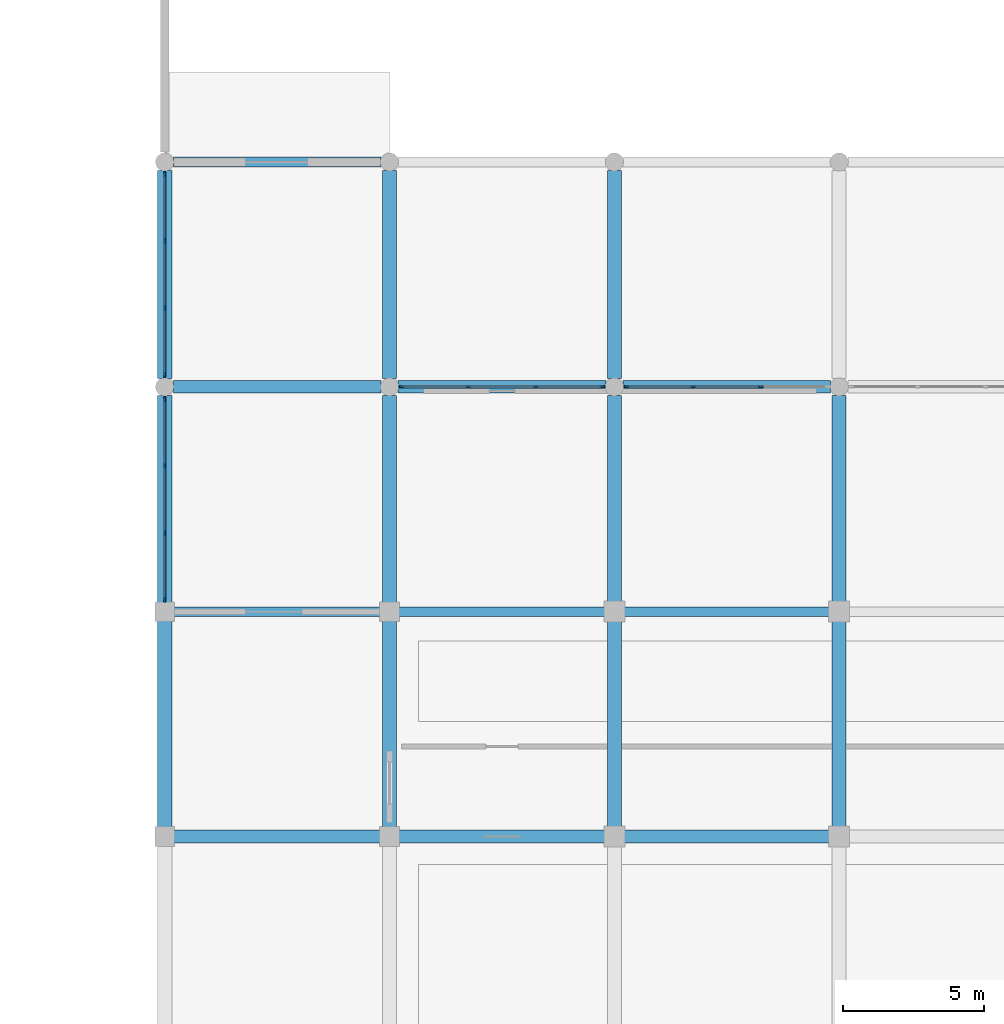
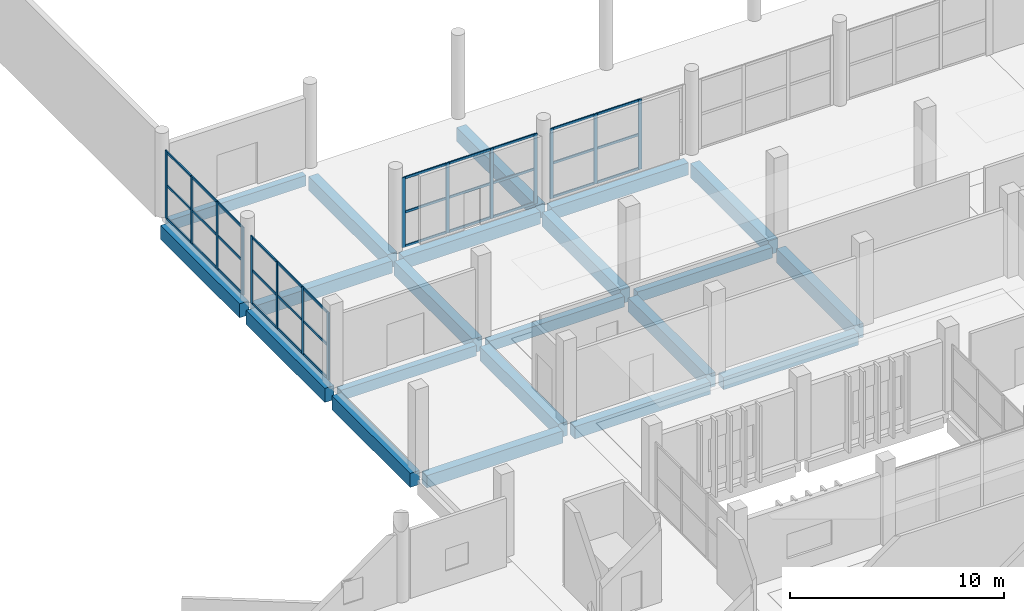
# One storey, part 52 of 117: 48 members, 21 beams, 4 elements without a shape of their own.
"""IFC4 building model written with IfcOpenShell, lengths in metres."""

from ifc_helpers import new_model, si_unit, direction, frame, origin, origin_2d, place, context, subcontext, project, spatial, rectangle, extrude, material, layer, layer_set, material_profile, profile_set, type_object, element, aggregate, save


model = new_model("IFC4")

# Units and contexts
model_context = context("Model", 3, precision=1e-05, world=origin(), true_north=direction((0.0, 1.0)))
body_context = subcontext(model_context, "Body", "Model", "MODEL_VIEW")
ifc_project = project(units=[si_unit("LENGTHUNIT", "METRE"), si_unit("AREAUNIT", "SQUARE_METRE"), si_unit("VOLUMEUNIT", "CUBIC_METRE"), si_unit("PLANEANGLEUNIT", "RADIAN"), si_unit("MASSUNIT", "GRAM", prefix="KILO")], contexts=[model_context])

# Site, building, storey
site_placement = place(None, origin())
site = spatial("IfcSite", under=ifc_project, at=site_placement, CompositionType="ELEMENT")
building_placement = place(site_placement, origin())
building = spatial("IfcBuilding", under=site, at=building_placement, Name="Jelvoka-Kovrelna Polytechnic", CompositionType="ELEMENT")
storey_placement = place(building_placement, origin())
storey = spatial("IfcBuildingStorey", under=building, at=storey_placement, Name="L01", CompositionType="ELEMENT", Elevation=0.0)

# Beams
ifc_material_1 = material(Name="Concrete C40/50", Category="concrete")
ifc_material_profile_1 = material_profile(ifc_material_1, rectangle(XDim=0.449951171875, YDim=0.699951171875, at=origin_2d()), Name="RC 450x700")
ifc_profile_set_1 = profile_set([ifc_material_profile_1], Name="Concrete C40/50")
beam_type_1 = type_object("IfcBeamType", Name="Beam_RC_450x700", PredefinedType="BEAM", material=ifc_profile_set_1)
for number, where, z_axis, x_axis, name in (
    (1, (48.304931640625, 80.0, -0.7548828125), (1.0, 0.0, 0.0), (0.0, 1.0, 0.0), "L01 beam 0281"),
    (2, (56.304931640625, 80.0, -0.7548828125), (1.0, 0.0, 0.0), (0.0, 1.0, 0.0), "L01 beam 0282"),
    (3, (64.304931640625, 80.0, -0.7548828125), (1.0, 0.0, 0.0), (0.0, 1.0, 0.0), "L01 beam 0283"),
):
    element("IfcBeam", number, at=place(storey_placement, frame(where, z_axis=z_axis, x_axis=x_axis)), inside=storey, type_object=beam_type_1, Name=name, PredefinedType="BEAM", context=body_context, shape_type="SweptSolid", body=[
        extrude(rectangle(XDim=0.449951171875, YDim=0.699951171875, at=origin_2d()), origin(), (0.0, 0.0, 1.0), 7.39013671875),
    ])
beam_1_placement = place(storey_placement, frame((56.330078125, 64.0, -0.7548828125), z_axis=(1.0, 0.0, 0.0), x_axis=(0.0, 1.0, 0.0)))
element("IfcBeam", 4, at=beam_1_placement, inside=storey, type_object=beam_type_1, Name="L01 beam 0450", PredefinedType="BEAM", context=body_context, shape_type="SweptSolid", body=[
    extrude(rectangle(XDim=0.449951171875, YDim=0.699951171875, at=origin_2d()), origin(), (0.0, 0.0, 1.0), 7.31494140625),
])
beam_2_placement = place(storey_placement, frame((64.35498046875, 64.0, -0.7548828125), z_axis=(1.0, 0.0, 0.0), x_axis=(0.0, 1.0, 0.0)))
element("IfcBeam", 5, at=beam_2_placement, inside=storey, type_object=beam_type_1, Name="L01 beam 0451", PredefinedType="BEAM", context=body_context, shape_type="SweptSolid", body=[
    extrude(rectangle(XDim=0.449951171875, YDim=0.699951171875, at=origin_2d()), origin(), (0.0, 0.0, 1.0), 7.2900390625),
])
beam_3_placement = place(storey_placement, frame((48.330078125, 64.0, -0.7548828125), z_axis=(1.0, 0.0, 0.0), x_axis=(0.0, 1.0, 0.0)))
element("IfcBeam", 6, at=beam_3_placement, inside=storey, type_object=beam_type_1, Name="L01 beam 0529", PredefinedType="BEAM", context=body_context, shape_type="SweptSolid", body=[
    extrude(rectangle(XDim=0.449951171875, YDim=0.699951171875, at=origin_2d()), origin(), (0.0, 0.0, 1.0), 7.33984375),
])
ifc_material_2 = material(Name="Concrete C40/50", Category="concrete")
ifc_material_profile_2 = material_profile(ifc_material_2, rectangle(XDim=0.5, YDim=0.800048828125, at=origin_2d()), Name="RC 500x800")
ifc_profile_set_2 = profile_set([ifc_material_profile_2], Name="Concrete C40/50")
beam_type_2 = type_object("IfcBeamType", Name="Beam_RC_500x800", PredefinedType="BEAM", material=ifc_profile_set_2)
beam_4_placement = place(storey_placement, frame((48.0, 72.330078125, -0.804931640625), z_axis=(0.0, 1.0, 0.0), x_axis=(-1.0, 0.0, 0.0)))
element("IfcBeam", 7, at=beam_4_placement, inside=storey, type_object=beam_type_2, Name="L01 beam 0291", PredefinedType="BEAM", context=body_context, shape_type="SweptSolid", body=[
    extrude(rectangle(XDim=0.5, YDim=0.800048828125, at=origin_2d()), origin(), (0.0, 0.0, 1.0), 7.364990234375),
])
beam_5_placement = place(storey_placement, frame((48.0, 80.304931640625, -0.804931640625), z_axis=(0.0, 1.0, 0.0), x_axis=(-1.0, 0.0, 0.0)))
element("IfcBeam", 8, at=beam_5_placement, inside=storey, type_object=beam_type_2, Name="L01 beam 0292", PredefinedType="BEAM", context=body_context, shape_type="SweptSolid", body=[
    extrude(rectangle(XDim=0.5, YDim=0.800048828125, at=origin_2d()), origin(), (0.0, 0.0, 1.0), 7.39013671875),
])
beam_6_placement = place(storey_placement, frame((56.0, 72.330078125, -0.804931640625), z_axis=(0.0, 1.0, 0.0), x_axis=(-1.0, 0.0, 0.0)))
element("IfcBeam", 9, at=beam_6_placement, inside=storey, type_object=beam_type_2, Name="L01 beam 0293", PredefinedType="BEAM", context=body_context, shape_type="SweptSolid", body=[
    extrude(rectangle(XDim=0.5, YDim=0.800048828125, at=origin_2d()), origin(), (0.0, 0.0, 1.0), 7.364990234375),
])
beam_7_placement = place(storey_placement, frame((56.0, 80.304931640625, -0.804931640625), z_axis=(0.0, 1.0, 0.0), x_axis=(-1.0, 0.0, 0.0)))
element("IfcBeam", 10, at=beam_7_placement, inside=storey, type_object=beam_type_2, Name="L01 beam 0294", PredefinedType="BEAM", context=body_context, shape_type="SweptSolid", body=[
    extrude(rectangle(XDim=0.5, YDim=0.800048828125, at=origin_2d()), origin(), (0.0, 0.0, 1.0), 7.39013671875),
])
beam_8_placement = place(storey_placement, frame((64.0, 72.35498046875, -0.804931640625), z_axis=(0.0, 1.0, 0.0), x_axis=(-1.0, 0.0, 0.0)))
element("IfcBeam", 11, at=beam_8_placement, inside=storey, type_object=beam_type_2, Name="L01 beam 0295", PredefinedType="BEAM", context=body_context, shape_type="SweptSolid", body=[
    extrude(rectangle(XDim=0.5, YDim=0.800048828125, at=origin_2d()), origin(), (0.0, 0.0, 1.0), 7.340087890625),
])
beam_9_placement = place(storey_placement, frame((64.0, 80.304931640625, -0.804931640625), z_axis=(0.0, 1.0, 0.0), x_axis=(-1.0, 0.0, 0.0)))
element("IfcBeam", 12, at=beam_9_placement, inside=storey, type_object=beam_type_2, Name="L01 beam 0296", PredefinedType="BEAM", context=body_context, shape_type="SweptSolid", body=[
    extrude(rectangle(XDim=0.5, YDim=0.800048828125, at=origin_2d()), origin(), (0.0, 0.0, 1.0), 7.39013671875),
])
beam_10_placement = place(storey_placement, frame((72.0, 72.35498046875, -0.804931640625), z_axis=(0.0, 1.0, 0.0), x_axis=(-1.0, 0.0, 0.0)))
element("IfcBeam", 13, at=beam_10_placement, inside=storey, type_object=beam_type_2, Name="L01 beam 0297", PredefinedType="BEAM", context=body_context, shape_type="SweptSolid", body=[
    extrude(rectangle(XDim=0.5, YDim=0.800048828125, at=origin_2d()), origin(), (0.0, 0.0, 1.0), 7.340087890625),
])
beam_11_placement = place(storey_placement, frame((56.0, 64.330078125, -0.804931640625), z_axis=(0.0, 1.0, 0.0), x_axis=(-1.0, 0.0, 0.0)))
element("IfcBeam", 14, at=beam_11_placement, inside=storey, type_object=beam_type_2, Name="L01 beam 0460", PredefinedType="BEAM", context=body_context, shape_type="SweptSolid", body=[
    extrude(rectangle(XDim=0.5, YDim=0.800048828125, at=origin_2d()), origin(), (0.0, 0.0, 1.0), 7.33984375),
])
for number, where, z_axis, x_axis, name in (
    (15, (64.0, 64.35498046875, -0.804931640625), (0.0, 1.0, 0.0), (-1.0, 0.0, 0.0), "L01 beam 0462"),
    (16, (72.0, 64.35498046875, -0.804931640625), (0.0, 1.0, 0.0), (-1.0, 0.0, 0.0), "L01 beam 0464"),
):
    element("IfcBeam", number, at=place(storey_placement, frame(where, z_axis=z_axis, x_axis=x_axis)), inside=storey, type_object=beam_type_2, Name=name, PredefinedType="BEAM", context=body_context, shape_type="SweptSolid", body=[
        extrude(rectangle(XDim=0.5, YDim=0.800048828125, at=origin_2d()), origin(), (0.0, 0.0, 1.0), 7.2900390625),
    ])
beam_12_placement = place(storey_placement, frame((48.0, 64.330078125, -0.804931640625), z_axis=(0.0, 1.0, 0.0), x_axis=(-1.0, 0.0, 0.0)))
element("IfcBeam", 17, at=beam_12_placement, inside=storey, type_object=beam_type_2, Name="L01 beam 0535", PredefinedType="BEAM", context=body_context, shape_type="SweptSolid", body=[
    extrude(rectangle(XDim=0.5, YDim=0.800048828125, at=origin_2d()), origin(), (0.0, 0.0, 1.0), 7.33984375),
])

# Curtain wall, members
ifc_material_3 = material(Name="Anodised aluminium 6063-T6", Category="aluminium")
ifc_layer = layer(ifc_material_3, 0.179931640625)
ifc_layer_set = layer_set([ifc_layer], Name="Anodised aluminium 6063-T6")
curtain_wall_type = type_object("IfcCurtainWallType", Name="CW_Pavilion", PredefinedType="NOTDEFINED", material=ifc_layer_set)
curtain_wall_1_placement = place(storey_placement, origin())
curtain_wall_1 = element("IfcCurtainWall", 18, at=curtain_wall_1_placement, inside=storey, type_object=curtain_wall_type, Name="L01 glazed curtain wall 163", PredefinedType="NOTDEFINED")
ifc_material_4 = material(Name="Anodised aluminium 6063-T6", Category="aluminium")
ifc_material_profile_3 = material_profile(ifc_material_4, rectangle(XDim=0.06494140625, YDim=0.179931640625, at=origin_2d()), Name="ALU 65x180")
ifc_profile_set_3 = profile_set([ifc_material_profile_3], Name="Anodised aluminium 6063-T6")
member_type_1 = type_object("IfcMemberType", Name="Mullion_M-05", PredefinedType="MULLION", material=ifc_profile_set_3)
member_1_placement = place(storey_placement, frame((48.0, 72.4326171875, -0.02490234375), z_axis=(0.0, 0.0, 1.0), x_axis=(-1.0, 0.0, 0.0)))
member_1 = element("IfcMember", 19, at=member_1_placement, type_object=member_type_1, Name="CW-05 mullion 1", PredefinedType="MULLION", context=body_context, shape_type="SweptSolid", body=[
    extrude(rectangle(XDim=0.06494140625, YDim=0.179931640625, at=origin_2d()), origin(), (0.0, 0.0, 1.0), 3.85498046875),
])
member_2_placement = place(storey_placement, frame((48.0, 74.800048828125, -0.02490234375), z_axis=(0.0, 0.0, 1.0), x_axis=(-1.0, 0.0, 0.0)))
member_2 = element("IfcMember", 20, at=member_2_placement, type_object=member_type_1, Name="CW-05 mullion 2", PredefinedType="MULLION", context=body_context, shape_type="SweptSolid", body=[
    extrude(rectangle(XDim=0.06494140625, YDim=0.179931640625, at=origin_2d()), origin(), (0.0, 0.0, 1.0), 3.85498046875),
])
member_3_placement = place(storey_placement, frame((48.0, 77.199951171875, -0.02490234375), z_axis=(0.0, 0.0, 1.0), x_axis=(-1.0, 0.0, 0.0)))
member_3 = element("IfcMember", 21, at=member_3_placement, type_object=member_type_1, Name="CW-05 mullion 3", PredefinedType="MULLION", context=body_context, shape_type="SweptSolid", body=[
    extrude(rectangle(XDim=0.06494140625, YDim=0.179931640625, at=origin_2d()), origin(), (0.0, 0.0, 1.0), 3.85498046875),
])
member_4_placement = place(storey_placement, frame((48.0, 79.5673828125, -0.02490234375), z_axis=(0.0, 0.0, 1.0), x_axis=(-1.0, 0.0, 0.0)))
member_4 = element("IfcMember", 22, at=member_4_placement, type_object=member_type_1, Name="CW-05 mullion 4", PredefinedType="MULLION", context=body_context, shape_type="SweptSolid", body=[
    extrude(rectangle(XDim=0.06494140625, YDim=0.179931640625, at=origin_2d()), origin(), (0.0, 0.0, 1.0), 3.85498046875),
])

curtain_wall_2_placement = place(storey_placement, origin())
curtain_wall_2 = element("IfcCurtainWall", 23, at=curtain_wall_2_placement, inside=storey, type_object=curtain_wall_type, Name="L01 glazed curtain wall 164", PredefinedType="NOTDEFINED")
member_5_placement = place(storey_placement, frame((48.0, 80.4326171875, -0.02490234375), z_axis=(0.0, 0.0, 1.0), x_axis=(-1.0, 0.0, 0.0)))
member_5 = element("IfcMember", 24, at=member_5_placement, type_object=member_type_1, Name="CW-05 mullion 1", PredefinedType="MULLION", context=body_context, shape_type="SweptSolid", body=[
    extrude(rectangle(XDim=0.06494140625, YDim=0.179931640625, at=origin_2d()), origin(), (0.0, 0.0, 1.0), 3.885009765625),
])
member_6_placement = place(storey_placement, frame((48.0, 82.800048828125, -0.02490234375), z_axis=(0.0, 0.0, 1.0), x_axis=(-1.0, 0.0, 0.0)))
member_6 = element("IfcMember", 25, at=member_6_placement, type_object=member_type_1, Name="CW-05 mullion 2", PredefinedType="MULLION", context=body_context, shape_type="SweptSolid", body=[
    extrude(rectangle(XDim=0.06494140625, YDim=0.179931640625, at=origin_2d()), origin(), (0.0, 0.0, 1.0), 3.885009765625),
])
member_7_placement = place(storey_placement, frame((48.0, 85.199951171875, -0.02490234375), z_axis=(0.0, 0.0, 1.0), x_axis=(-1.0, 0.0, 0.0)))
member_7 = element("IfcMember", 26, at=member_7_placement, type_object=member_type_1, Name="CW-05 mullion 3", PredefinedType="MULLION", context=body_context, shape_type="SweptSolid", body=[
    extrude(rectangle(XDim=0.06494140625, YDim=0.179931640625, at=origin_2d()), origin(), (0.0, 0.0, 1.0), 3.885009765625),
])
member_8_placement = place(storey_placement, frame((48.0, 87.5673828125, -0.02490234375), z_axis=(0.0, 0.0, 1.0), x_axis=(-1.0, 0.0, 0.0)))
member_8 = element("IfcMember", 27, at=member_8_placement, type_object=member_type_1, Name="CW-05 mullion 4", PredefinedType="MULLION", context=body_context, shape_type="SweptSolid", body=[
    extrude(rectangle(XDim=0.06494140625, YDim=0.179931640625, at=origin_2d()), origin(), (0.0, 0.0, 1.0), 3.885009765625),
])

curtain_wall_3_placement = place(storey_placement, origin())
curtain_wall_3 = element("IfcCurtainWall", 28, at=curtain_wall_3_placement, inside=storey, type_object=curtain_wall_type, Name="L01 glazed curtain wall 165", PredefinedType="NOTDEFINED")
member_9_placement = place(storey_placement, frame((56.4326171875, 80.0, -0.02490234375), z_axis=(0.0, 0.0, 1.0), x_axis=(0.0, 1.0, 0.0)))
member_9 = element("IfcMember", 29, at=member_9_placement, type_object=member_type_1, Name="CW-05 mullion 1", PredefinedType="MULLION", context=body_context, shape_type="SweptSolid", body=[
    extrude(rectangle(XDim=0.06494140625, YDim=0.179931640625, at=origin_2d()), origin(), (0.0, 0.0, 1.0), 4.005126953125),
])
member_10_placement = place(storey_placement, frame((58.800048828125, 80.0, -0.02490234375), z_axis=(0.0, 0.0, 1.0), x_axis=(0.0, 1.0, 0.0)))
member_10 = element("IfcMember", 30, at=member_10_placement, type_object=member_type_1, Name="CW-05 mullion 2", PredefinedType="MULLION", context=body_context, shape_type="SweptSolid", body=[
    extrude(rectangle(XDim=0.06494140625, YDim=0.179931640625, at=origin_2d()), origin(), (0.0, 0.0, 1.0), 4.005126953125),
])
member_11_placement = place(storey_placement, frame((61.199951171875, 80.0, -0.02490234375), z_axis=(0.0, 0.0, 1.0), x_axis=(0.0, 1.0, 0.0)))
member_11 = element("IfcMember", 31, at=member_11_placement, type_object=member_type_1, Name="CW-05 mullion 3", PredefinedType="MULLION", context=body_context, shape_type="SweptSolid", body=[
    extrude(rectangle(XDim=0.06494140625, YDim=0.179931640625, at=origin_2d()), origin(), (0.0, 0.0, 1.0), 4.005126953125),
])
member_12_placement = place(storey_placement, frame((63.5673828125, 80.0, -0.02490234375), z_axis=(0.0, 0.0, 1.0), x_axis=(0.0, 1.0, 0.0)))
member_12 = element("IfcMember", 32, at=member_12_placement, type_object=member_type_1, Name="CW-05 mullion 4", PredefinedType="MULLION", context=body_context, shape_type="SweptSolid", body=[
    extrude(rectangle(XDim=0.06494140625, YDim=0.179931640625, at=origin_2d()), origin(), (0.0, 0.0, 1.0), 4.005126953125),
])

curtain_wall_4_placement = place(storey_placement, origin())
curtain_wall_4 = element("IfcCurtainWall", 33, at=curtain_wall_4_placement, inside=storey, type_object=curtain_wall_type, Name="L01 glazed curtain wall 166", PredefinedType="NOTDEFINED")
member_13_placement = place(storey_placement, frame((64.4326171875, 80.0, -0.02490234375), z_axis=(0.0, 0.0, 1.0), x_axis=(0.0, 1.0, 0.0)))
member_13 = element("IfcMember", 34, at=member_13_placement, type_object=member_type_1, Name="CW-05 mullion 1", PredefinedType="MULLION", context=body_context, shape_type="SweptSolid", body=[
    extrude(rectangle(XDim=0.06494140625, YDim=0.179931640625, at=origin_2d()), origin(), (0.0, 0.0, 1.0), 4.005126953125),
])
member_14_placement = place(storey_placement, frame((66.800048828125, 80.0, -0.02490234375), z_axis=(0.0, 0.0, 1.0), x_axis=(0.0, 1.0, 0.0)))
member_14 = element("IfcMember", 35, at=member_14_placement, type_object=member_type_1, Name="CW-05 mullion 2", PredefinedType="MULLION", context=body_context, shape_type="SweptSolid", body=[
    extrude(rectangle(XDim=0.06494140625, YDim=0.179931640625, at=origin_2d()), origin(), (0.0, 0.0, 1.0), 4.005126953125),
])
member_15_placement = place(storey_placement, frame((69.199951171875, 80.0, -0.02490234375), z_axis=(0.0, 0.0, 1.0), x_axis=(0.0, 1.0, 0.0)))
member_15 = element("IfcMember", 36, at=member_15_placement, type_object=member_type_1, Name="CW-05 mullion 3", PredefinedType="MULLION", context=body_context, shape_type="SweptSolid", body=[
    extrude(rectangle(XDim=0.06494140625, YDim=0.179931640625, at=origin_2d()), origin(), (0.0, 0.0, 1.0), 4.005126953125),
])

# Beams
ifc_material_5 = material(Name="Concrete C40/50", Category="concrete")
ifc_material_profile_4 = material_profile(ifc_material_5, rectangle(XDim=0.35009765625, YDim=0.60009765625, at=origin_2d()), Name="RC 350x600")
ifc_profile_set_4 = profile_set([ifc_material_profile_4], Name="Concrete C40/50")
beam_type_3 = type_object("IfcBeamType", Name="Spandrel_RC_350x600", PredefinedType="SPANDREL", material=ifc_profile_set_4)
beam_13_placement = place(storey_placement, frame((48.330078125, 72.0, -0.705078125), z_axis=(1.0, 0.0, 0.0), x_axis=(0.0, 1.0, 0.0)))
element("IfcBeam", 37, at=beam_13_placement, inside=storey, type_object=beam_type_3, Name="L01 beam 0276", PredefinedType="SPANDREL", context=body_context, shape_type="SweptSolid", body=[
    extrude(rectangle(XDim=0.35009765625, YDim=0.60009765625, at=origin_2d()), origin(), (0.0, 0.0, 1.0), 7.33984375),
])
beam_14_placement = place(storey_placement, frame((56.330078125, 72.0, -0.705078125), z_axis=(1.0, 0.0, 0.0), x_axis=(0.0, 1.0, 0.0)))
element("IfcBeam", 38, at=beam_14_placement, inside=storey, type_object=beam_type_3, Name="L01 beam 0277", PredefinedType="SPANDREL", context=body_context, shape_type="SweptSolid", body=[
    extrude(rectangle(XDim=0.35009765625, YDim=0.60009765625, at=origin_2d()), origin(), (0.0, 0.0, 1.0), 7.31494140625),
])
beam_15_placement = place(storey_placement, frame((64.35498046875, 72.0, -0.705078125), z_axis=(1.0, 0.0, 0.0), x_axis=(0.0, 1.0, 0.0)))
element("IfcBeam", 39, at=beam_15_placement, inside=storey, type_object=beam_type_3, Name="L01 beam 0278", PredefinedType="SPANDREL", context=body_context, shape_type="SweptSolid", body=[
    extrude(rectangle(XDim=0.35009765625, YDim=0.60009765625, at=origin_2d()), origin(), (0.0, 0.0, 1.0), 7.2900390625),
])
beam_16_placement = place(storey_placement, frame((48.304931640625, 88.0, -0.705078125), z_axis=(1.0, 0.0, 0.0), x_axis=(0.0, 1.0, 0.0)))
element("IfcBeam", 40, at=beam_16_placement, inside=storey, type_object=beam_type_3, Name="L01 beam 0286", PredefinedType="SPANDREL", context=body_context, shape_type="SweptSolid", body=[
    extrude(rectangle(XDim=0.35009765625, YDim=0.60009765625, at=origin_2d()), origin(), (0.0, 0.0, 1.0), 7.39013671875),
])

# Member
ifc_material_6 = material(Name="Anodised aluminium 6063-T6", Category="aluminium")
ifc_material_profile_5 = material_profile(ifc_material_6, rectangle(XDim=0.06494140625, YDim=0.135009765625, at=origin_2d()), Name="ALU 65x135")
ifc_profile_set_5 = profile_set([ifc_material_profile_5], Name="Anodised aluminium 6063-T6")
member_type_2 = type_object("IfcMemberType", Name="Transom_T-05", PredefinedType="USERDEFINED", material=ifc_profile_set_5)
member_16_placement = place(storey_placement, frame((48.0, 72.465087890625, 0.032470703125), z_axis=(0.0, 1.0, 0.0), x_axis=(-1.0, 0.0, 0.0)))
member_16 = element("IfcMember", 41, at=member_16_placement, type_object=member_type_2, Name="CW-05 transom 1.1", ObjectType="TRANSOM", PredefinedType="USERDEFINED", context=body_context, shape_type="SweptSolid", body=[
    extrude(rectangle(XDim=0.06494140625, YDim=0.135009765625, at=origin_2d()), origin(), (0.0, 0.0, 1.0), 2.302490234375),
])

member_17_placement = place(storey_placement, frame((48.0, 72.465087890625, 1.902587890625), z_axis=(0.0, 1.0, 0.0), x_axis=(-1.0, 0.0, 0.0)))
member_17 = element("IfcMember", 42, at=member_17_placement, type_object=member_type_2, Name="CW-05 transom 1.2", ObjectType="TRANSOM", PredefinedType="USERDEFINED", context=body_context, shape_type="SweptSolid", body=[
    extrude(rectangle(XDim=0.06494140625, YDim=0.135009765625, at=origin_2d()), origin(), (0.0, 0.0, 1.0), 2.302490234375),
])

member_18_placement = place(storey_placement, frame((48.0, 72.465087890625, 3.7724609375), z_axis=(0.0, 1.0, 0.0), x_axis=(-1.0, 0.0, 0.0)))
member_18 = element("IfcMember", 43, at=member_18_placement, type_object=member_type_2, Name="CW-05 transom 1.3", ObjectType="TRANSOM", PredefinedType="USERDEFINED", context=body_context, shape_type="SweptSolid", body=[
    extrude(rectangle(XDim=0.06494140625, YDim=0.135009765625, at=origin_2d()), origin(), (0.0, 0.0, 1.0), 2.302490234375),
])

member_19_placement = place(storey_placement, frame((48.0, 74.83251953125, 0.032470703125), z_axis=(0.0, 1.0, 0.0), x_axis=(-1.0, 0.0, 0.0)))
member_19 = element("IfcMember", 44, at=member_19_placement, type_object=member_type_2, Name="CW-05 transom 2.1", ObjectType="TRANSOM", PredefinedType="USERDEFINED", context=body_context, shape_type="SweptSolid", body=[
    extrude(rectangle(XDim=0.06494140625, YDim=0.135009765625, at=origin_2d()), origin(), (0.0, 0.0, 1.0), 2.3349609375),
])

member_20_placement = place(storey_placement, frame((48.0, 74.83251953125, 1.902587890625), z_axis=(0.0, 1.0, 0.0), x_axis=(-1.0, 0.0, 0.0)))
member_20 = element("IfcMember", 45, at=member_20_placement, type_object=member_type_2, Name="CW-05 transom 2.2", ObjectType="TRANSOM", PredefinedType="USERDEFINED", context=body_context, shape_type="SweptSolid", body=[
    extrude(rectangle(XDim=0.06494140625, YDim=0.135009765625, at=origin_2d()), origin(), (0.0, 0.0, 1.0), 2.3349609375),
])

member_21_placement = place(storey_placement, frame((48.0, 74.83251953125, 3.7724609375), z_axis=(0.0, 1.0, 0.0), x_axis=(-1.0, 0.0, 0.0)))
member_21 = element("IfcMember", 46, at=member_21_placement, type_object=member_type_2, Name="CW-05 transom 2.3", ObjectType="TRANSOM", PredefinedType="USERDEFINED", context=body_context, shape_type="SweptSolid", body=[
    extrude(rectangle(XDim=0.06494140625, YDim=0.135009765625, at=origin_2d()), origin(), (0.0, 0.0, 1.0), 2.3349609375),
])

member_22_placement = place(storey_placement, frame((48.0, 77.232421875, 0.032470703125), z_axis=(0.0, 1.0, 0.0), x_axis=(-1.0, 0.0, 0.0)))
member_22 = element("IfcMember", 47, at=member_22_placement, type_object=member_type_2, Name="CW-05 transom 3.1", ObjectType="TRANSOM", PredefinedType="USERDEFINED", context=body_context, shape_type="SweptSolid", body=[
    extrude(rectangle(XDim=0.06494140625, YDim=0.135009765625, at=origin_2d()), origin(), (0.0, 0.0, 1.0), 2.302490234375),
])

member_23_placement = place(storey_placement, frame((48.0, 77.232421875, 1.902587890625), z_axis=(0.0, 1.0, 0.0), x_axis=(-1.0, 0.0, 0.0)))
member_23 = element("IfcMember", 48, at=member_23_placement, type_object=member_type_2, Name="CW-05 transom 3.2", ObjectType="TRANSOM", PredefinedType="USERDEFINED", context=body_context, shape_type="SweptSolid", body=[
    extrude(rectangle(XDim=0.06494140625, YDim=0.135009765625, at=origin_2d()), origin(), (0.0, 0.0, 1.0), 2.302490234375),
])

member_24_placement = place(storey_placement, frame((48.0, 77.232421875, 3.7724609375), z_axis=(0.0, 1.0, 0.0), x_axis=(-1.0, 0.0, 0.0)))
member_24 = element("IfcMember", 49, at=member_24_placement, type_object=member_type_2, Name="CW-05 transom 3.3", ObjectType="TRANSOM", PredefinedType="USERDEFINED", context=body_context, shape_type="SweptSolid", body=[
    extrude(rectangle(XDim=0.06494140625, YDim=0.135009765625, at=origin_2d()), origin(), (0.0, 0.0, 1.0), 2.302490234375),
])

aggregate(curtain_wall_1, [member_1, member_2, member_3, member_4, member_16, member_17, member_18, member_19, member_20, member_21, member_22, member_23, member_24])

member_25_placement = place(storey_placement, frame((48.0, 80.465087890625, 0.032470703125), z_axis=(0.0, 1.0, 0.0), x_axis=(-1.0, 0.0, 0.0)))
member_25 = element("IfcMember", 50, at=member_25_placement, type_object=member_type_2, Name="CW-05 transom 1.1", ObjectType="TRANSOM", PredefinedType="USERDEFINED", context=body_context, shape_type="SweptSolid", body=[
    extrude(rectangle(XDim=0.06494140625, YDim=0.135009765625, at=origin_2d()), origin(), (0.0, 0.0, 1.0), 2.302490234375),
])

member_26_placement = place(storey_placement, frame((48.0, 80.465087890625, 1.91748046875), z_axis=(0.0, 1.0, 0.0), x_axis=(-1.0, 0.0, 0.0)))
member_26 = element("IfcMember", 51, at=member_26_placement, type_object=member_type_2, Name="CW-05 transom 1.2", ObjectType="TRANSOM", PredefinedType="USERDEFINED", context=body_context, shape_type="SweptSolid", body=[
    extrude(rectangle(XDim=0.06494140625, YDim=0.135009765625, at=origin_2d()), origin(), (0.0, 0.0, 1.0), 2.302490234375),
])

member_27_placement = place(storey_placement, frame((48.0, 80.465087890625, 3.802490234375), z_axis=(0.0, 1.0, 0.0), x_axis=(-1.0, 0.0, 0.0)))
member_27 = element("IfcMember", 52, at=member_27_placement, type_object=member_type_2, Name="CW-05 transom 1.3", ObjectType="TRANSOM", PredefinedType="USERDEFINED", context=body_context, shape_type="SweptSolid", body=[
    extrude(rectangle(XDim=0.06494140625, YDim=0.135009765625, at=origin_2d()), origin(), (0.0, 0.0, 1.0), 2.302490234375),
])

member_28_placement = place(storey_placement, frame((48.0, 82.83251953125, 0.032470703125), z_axis=(0.0, 1.0, 0.0), x_axis=(-1.0, 0.0, 0.0)))
member_28 = element("IfcMember", 53, at=member_28_placement, type_object=member_type_2, Name="CW-05 transom 2.1", ObjectType="TRANSOM", PredefinedType="USERDEFINED", context=body_context, shape_type="SweptSolid", body=[
    extrude(rectangle(XDim=0.06494140625, YDim=0.135009765625, at=origin_2d()), origin(), (0.0, 0.0, 1.0), 2.3349609375),
])

member_29_placement = place(storey_placement, frame((48.0, 82.83251953125, 1.91748046875), z_axis=(0.0, 1.0, 0.0), x_axis=(-1.0, 0.0, 0.0)))
member_29 = element("IfcMember", 54, at=member_29_placement, type_object=member_type_2, Name="CW-05 transom 2.2", ObjectType="TRANSOM", PredefinedType="USERDEFINED", context=body_context, shape_type="SweptSolid", body=[
    extrude(rectangle(XDim=0.06494140625, YDim=0.135009765625, at=origin_2d()), origin(), (0.0, 0.0, 1.0), 2.3349609375),
])

member_30_placement = place(storey_placement, frame((48.0, 82.83251953125, 3.802490234375), z_axis=(0.0, 1.0, 0.0), x_axis=(-1.0, 0.0, 0.0)))
member_30 = element("IfcMember", 55, at=member_30_placement, type_object=member_type_2, Name="CW-05 transom 2.3", ObjectType="TRANSOM", PredefinedType="USERDEFINED", context=body_context, shape_type="SweptSolid", body=[
    extrude(rectangle(XDim=0.06494140625, YDim=0.135009765625, at=origin_2d()), origin(), (0.0, 0.0, 1.0), 2.3349609375),
])

member_31_placement = place(storey_placement, frame((48.0, 85.232421875, 0.032470703125), z_axis=(0.0, 1.0, 0.0), x_axis=(-1.0, 0.0, 0.0)))
member_31 = element("IfcMember", 56, at=member_31_placement, type_object=member_type_2, Name="CW-05 transom 3.1", ObjectType="TRANSOM", PredefinedType="USERDEFINED", context=body_context, shape_type="SweptSolid", body=[
    extrude(rectangle(XDim=0.06494140625, YDim=0.135009765625, at=origin_2d()), origin(), (0.0, 0.0, 1.0), 2.302490234375),
])

member_32_placement = place(storey_placement, frame((48.0, 85.232421875, 1.91748046875), z_axis=(0.0, 1.0, 0.0), x_axis=(-1.0, 0.0, 0.0)))
member_32 = element("IfcMember", 57, at=member_32_placement, type_object=member_type_2, Name="CW-05 transom 3.2", ObjectType="TRANSOM", PredefinedType="USERDEFINED", context=body_context, shape_type="SweptSolid", body=[
    extrude(rectangle(XDim=0.06494140625, YDim=0.135009765625, at=origin_2d()), origin(), (0.0, 0.0, 1.0), 2.302490234375),
])

member_33_placement = place(storey_placement, frame((48.0, 85.232421875, 3.802490234375), z_axis=(0.0, 1.0, 0.0), x_axis=(-1.0, 0.0, 0.0)))
member_33 = element("IfcMember", 58, at=member_33_placement, type_object=member_type_2, Name="CW-05 transom 3.3", ObjectType="TRANSOM", PredefinedType="USERDEFINED", context=body_context, shape_type="SweptSolid", body=[
    extrude(rectangle(XDim=0.06494140625, YDim=0.135009765625, at=origin_2d()), origin(), (0.0, 0.0, 1.0), 2.302490234375),
])

aggregate(curtain_wall_2, [member_5, member_6, member_7, member_8, member_25, member_26, member_27, member_28, member_29, member_30, member_31, member_32, member_33])

member_34_placement = place(storey_placement, frame((56.465087890625, 80.0, 0.032470703125), z_axis=(1.0, 0.0, 0.0), x_axis=(0.0, 1.0, 0.0)))
member_34 = element("IfcMember", 59, at=member_34_placement, type_object=member_type_2, Name="CW-05 transom 1.1", ObjectType="TRANSOM", PredefinedType="USERDEFINED", context=body_context, shape_type="SweptSolid", body=[
    extrude(rectangle(XDim=0.06494140625, YDim=0.135009765625, at=origin_2d()), origin(), (0.0, 0.0, 1.0), 2.302490234375),
])

member_35_placement = place(storey_placement, frame((56.465087890625, 80.0, 1.9775390625), z_axis=(1.0, 0.0, 0.0), x_axis=(0.0, 1.0, 0.0)))
member_35 = element("IfcMember", 60, at=member_35_placement, type_object=member_type_2, Name="CW-05 transom 1.2", ObjectType="TRANSOM", PredefinedType="USERDEFINED", context=body_context, shape_type="SweptSolid", body=[
    extrude(rectangle(XDim=0.06494140625, YDim=0.135009765625, at=origin_2d()), origin(), (0.0, 0.0, 1.0), 2.302490234375),
])

member_36_placement = place(storey_placement, frame((56.465087890625, 80.0, 3.922607421875), z_axis=(1.0, 0.0, 0.0), x_axis=(0.0, 1.0, 0.0)))
member_36 = element("IfcMember", 61, at=member_36_placement, type_object=member_type_2, Name="CW-05 transom 1.3", ObjectType="TRANSOM", PredefinedType="USERDEFINED", context=body_context, shape_type="SweptSolid", body=[
    extrude(rectangle(XDim=0.06494140625, YDim=0.135009765625, at=origin_2d()), origin(), (0.0, 0.0, 1.0), 2.302490234375),
])

member_37_placement = place(storey_placement, frame((58.83251953125, 80.0, 0.032470703125), z_axis=(1.0, 0.0, 0.0), x_axis=(0.0, 1.0, 0.0)))
member_37 = element("IfcMember", 62, at=member_37_placement, type_object=member_type_2, Name="CW-05 transom 2.1", ObjectType="TRANSOM", PredefinedType="USERDEFINED", context=body_context, shape_type="SweptSolid", body=[
    extrude(rectangle(XDim=0.06494140625, YDim=0.135009765625, at=origin_2d()), origin(), (0.0, 0.0, 1.0), 2.3349609375),
])

member_38_placement = place(storey_placement, frame((58.83251953125, 80.0, 1.9775390625), z_axis=(1.0, 0.0, 0.0), x_axis=(0.0, 1.0, 0.0)))
member_38 = element("IfcMember", 63, at=member_38_placement, type_object=member_type_2, Name="CW-05 transom 2.2", ObjectType="TRANSOM", PredefinedType="USERDEFINED", context=body_context, shape_type="SweptSolid", body=[
    extrude(rectangle(XDim=0.06494140625, YDim=0.135009765625, at=origin_2d()), origin(), (0.0, 0.0, 1.0), 2.3349609375),
])

member_39_placement = place(storey_placement, frame((58.83251953125, 80.0, 3.922607421875), z_axis=(1.0, 0.0, 0.0), x_axis=(0.0, 1.0, 0.0)))
member_39 = element("IfcMember", 64, at=member_39_placement, type_object=member_type_2, Name="CW-05 transom 2.3", ObjectType="TRANSOM", PredefinedType="USERDEFINED", context=body_context, shape_type="SweptSolid", body=[
    extrude(rectangle(XDim=0.06494140625, YDim=0.135009765625, at=origin_2d()), origin(), (0.0, 0.0, 1.0), 2.3349609375),
])

member_40_placement = place(storey_placement, frame((61.232421875, 80.0, 0.032470703125), z_axis=(1.0, 0.0, 0.0), x_axis=(0.0, 1.0, 0.0)))
member_40 = element("IfcMember", 65, at=member_40_placement, type_object=member_type_2, Name="CW-05 transom 3.1", ObjectType="TRANSOM", PredefinedType="USERDEFINED", context=body_context, shape_type="SweptSolid", body=[
    extrude(rectangle(XDim=0.06494140625, YDim=0.135009765625, at=origin_2d()), origin(), (0.0, 0.0, 1.0), 2.302490234375),
])

member_41_placement = place(storey_placement, frame((61.232421875, 80.0, 1.9775390625), z_axis=(1.0, 0.0, 0.0), x_axis=(0.0, 1.0, 0.0)))
member_41 = element("IfcMember", 66, at=member_41_placement, type_object=member_type_2, Name="CW-05 transom 3.2", ObjectType="TRANSOM", PredefinedType="USERDEFINED", context=body_context, shape_type="SweptSolid", body=[
    extrude(rectangle(XDim=0.06494140625, YDim=0.135009765625, at=origin_2d()), origin(), (0.0, 0.0, 1.0), 2.302490234375),
])

member_42_placement = place(storey_placement, frame((61.232421875, 80.0, 3.922607421875), z_axis=(1.0, 0.0, 0.0), x_axis=(0.0, 1.0, 0.0)))
member_42 = element("IfcMember", 67, at=member_42_placement, type_object=member_type_2, Name="CW-05 transom 3.3", ObjectType="TRANSOM", PredefinedType="USERDEFINED", context=body_context, shape_type="SweptSolid", body=[
    extrude(rectangle(XDim=0.06494140625, YDim=0.135009765625, at=origin_2d()), origin(), (0.0, 0.0, 1.0), 2.302490234375),
])

aggregate(curtain_wall_3, [member_9, member_10, member_11, member_12, member_34, member_35, member_36, member_37, member_38, member_39, member_40, member_41, member_42])

member_43_placement = place(storey_placement, frame((64.465087890625, 80.0, 0.032470703125), z_axis=(1.0, 0.0, 0.0), x_axis=(0.0, 1.0, 0.0)))
member_43 = element("IfcMember", 68, at=member_43_placement, type_object=member_type_2, Name="CW-05 transom 1.1", ObjectType="TRANSOM", PredefinedType="USERDEFINED", context=body_context, shape_type="SweptSolid", body=[
    extrude(rectangle(XDim=0.06494140625, YDim=0.135009765625, at=origin_2d()), origin(), (0.0, 0.0, 1.0), 2.302490234375),
])

member_44_placement = place(storey_placement, frame((64.465087890625, 80.0, 1.9775390625), z_axis=(1.0, 0.0, 0.0), x_axis=(0.0, 1.0, 0.0)))
member_44 = element("IfcMember", 69, at=member_44_placement, type_object=member_type_2, Name="CW-05 transom 1.2", ObjectType="TRANSOM", PredefinedType="USERDEFINED", context=body_context, shape_type="SweptSolid", body=[
    extrude(rectangle(XDim=0.06494140625, YDim=0.135009765625, at=origin_2d()), origin(), (0.0, 0.0, 1.0), 2.302490234375),
])

member_45_placement = place(storey_placement, frame((64.465087890625, 80.0, 3.922607421875), z_axis=(1.0, 0.0, 0.0), x_axis=(0.0, 1.0, 0.0)))
member_45 = element("IfcMember", 70, at=member_45_placement, type_object=member_type_2, Name="CW-05 transom 1.3", ObjectType="TRANSOM", PredefinedType="USERDEFINED", context=body_context, shape_type="SweptSolid", body=[
    extrude(rectangle(XDim=0.06494140625, YDim=0.135009765625, at=origin_2d()), origin(), (0.0, 0.0, 1.0), 2.302490234375),
])

member_46_placement = place(storey_placement, frame((66.83251953125, 80.0, 0.032470703125), z_axis=(1.0, 0.0, 0.0), x_axis=(0.0, 1.0, 0.0)))
member_46 = element("IfcMember", 71, at=member_46_placement, type_object=member_type_2, Name="CW-05 transom 2.1", ObjectType="TRANSOM", PredefinedType="USERDEFINED", context=body_context, shape_type="SweptSolid", body=[
    extrude(rectangle(XDim=0.06494140625, YDim=0.135009765625, at=origin_2d()), origin(), (0.0, 0.0, 1.0), 2.3349609375),
])

member_47_placement = place(storey_placement, frame((66.83251953125, 80.0, 1.9775390625), z_axis=(1.0, 0.0, 0.0), x_axis=(0.0, 1.0, 0.0)))
member_47 = element("IfcMember", 72, at=member_47_placement, type_object=member_type_2, Name="CW-05 transom 2.2", ObjectType="TRANSOM", PredefinedType="USERDEFINED", context=body_context, shape_type="SweptSolid", body=[
    extrude(rectangle(XDim=0.06494140625, YDim=0.135009765625, at=origin_2d()), origin(), (0.0, 0.0, 1.0), 2.3349609375),
])

member_48_placement = place(storey_placement, frame((66.83251953125, 80.0, 3.922607421875), z_axis=(1.0, 0.0, 0.0), x_axis=(0.0, 1.0, 0.0)))
member_48 = element("IfcMember", 73, at=member_48_placement, type_object=member_type_2, Name="CW-05 transom 2.3", ObjectType="TRANSOM", PredefinedType="USERDEFINED", context=body_context, shape_type="SweptSolid", body=[
    extrude(rectangle(XDim=0.06494140625, YDim=0.135009765625, at=origin_2d()), origin(), (0.0, 0.0, 1.0), 2.3349609375),
])

aggregate(curtain_wall_4, [member_13, member_14, member_15, member_43, member_44, member_45, member_46, member_47, member_48])

save(model, "model.ifc")
